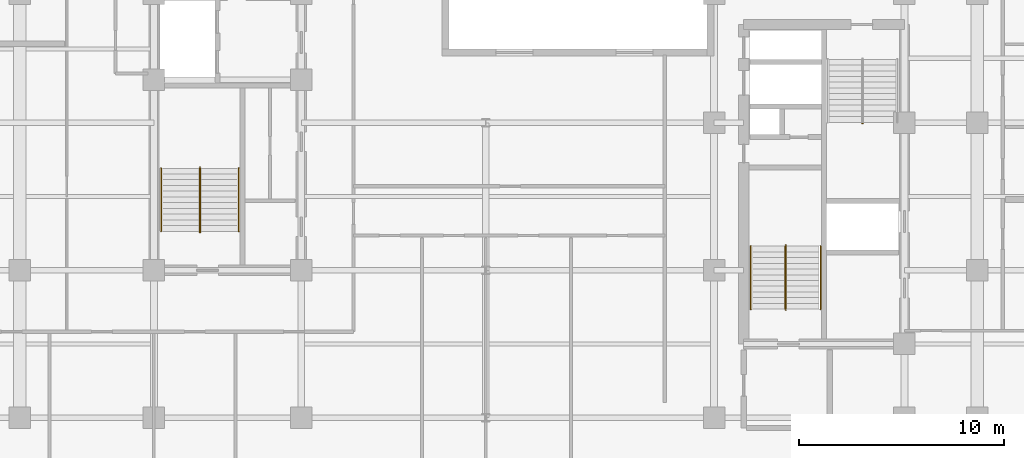
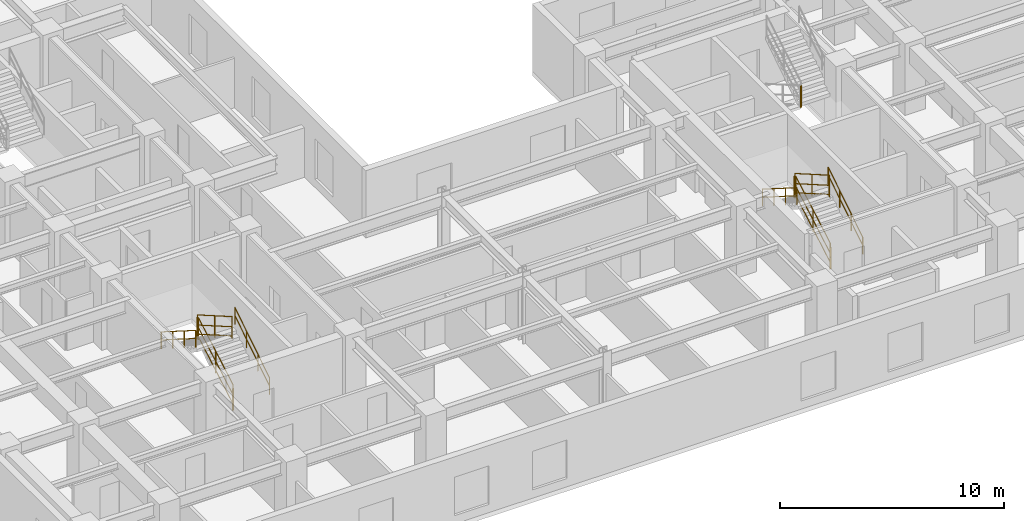
# One storey, part 8 of 10: 13 railings.
"""IFC4 building model written with IfcOpenShell, lengths in metres."""

from ifc_helpers import new_model, entity, si_unit, converted_unit, direction, frame, origin_with_axes, origin_2d_with_axis, place, context, subcontext, project, spatial, rectangle, circle, extrude, material, type_object, element, save


model = new_model("IFC4")

# Units and contexts
model_context = context("Model", 3, precision=1e-05, world=origin_with_axes(), true_north=direction((0.0, 1.0)))
body_context = subcontext(model_context, "Body", "Model", "MODEL_VIEW")
ifc_project = project(units=[si_unit("LENGTHUNIT", "METRE"), si_unit("AREAUNIT", "SQUARE_METRE"), si_unit("VOLUMEUNIT", "CUBIC_METRE"), converted_unit("PLANEANGLEUNIT", "DEGREE", entity("IfcPlaneAngleMeasure", 0.017453292519943295), si_unit("PLANEANGLEUNIT", "RADIAN"), dimensions=[0, 0, 0, 0, 0, 0, 0]), si_unit("MASSUNIT", "GRAM", prefix="KILO"), si_unit("THERMODYNAMICTEMPERATUREUNIT", "KELVIN")], contexts=[model_context])

# Site, building, storey
site_placement = place(None, origin_with_axes())
site = spatial("IfcSite", under=ifc_project, at=site_placement, CompositionType="ELEMENT")
building_placement = place(site_placement, origin_with_axes())
building = spatial("IfcBuilding", under=site, at=building_placement, Name="Varnlund Millrace Tower", CompositionType="ELEMENT")
storey_placement = place(building_placement, frame((0.0, 0.0, 179.7), z_axis=(0.0, 0.0, 1.0), x_axis=(1.0, 0.0, 0.0)))
storey = spatial("IfcBuildingStorey", under=building, at=storey_placement, Name="L44", CompositionType="ELEMENT", Elevation=179.7)

# Railings
ifc_material_1 = material(Name="Painted steel stair well balustrade guard", Category="steel")
railing_type_1 = type_object("IfcRailingType", Name="Type-StairGuard-1150", PredefinedType="GUARDRAIL", material=ifc_material_1)
railing_1_placement = place(storey_placement, frame((0.0, 0.0, -179.7), z_axis=(0.0, 0.0, 1.0), x_axis=(1.0, 0.0, 0.0)))
element("IfcRailing", 1, at=railing_1_placement, inside=storey, type_object=railing_type_1, Name="Type-StairGuard-1150", PredefinedType="GUARDRAIL", context=body_context, shape_type="SweptSolid", body=[
    extrude(circle(Radius=0.024, at=origin_2d_with_axis()), frame((13.675, 12.7, 181.027273), z_axis=(0.0, 0.866696, 0.498836), x_axis=(-1.0, 0.0, 0.0)), (0.0, 0.0, 1.0), 3.553725),
    extrude(circle(Radius=0.024, at=origin_2d_with_axis()), frame((13.675, 12.7, 179.977273), z_axis=(0.0, 0.866696, 0.498836), x_axis=(-1.0, 0.0, 0.0)), (0.0, 0.0, 1.0), 3.553725),
    extrude(circle(Radius=0.024, at=origin_2d_with_axis()), frame((13.675, 12.7, 180.475273), z_axis=(0.0, 0.866696, 0.498836), x_axis=(-1.0, 0.0, 0.0)), (0.0, 0.0, 1.0), 3.553725),
    extrude(rectangle(XDim=0.04, YDim=0.04, at=origin_2d_with_axis()), frame((13.675, 12.7, 179.837273), z_axis=(0.0, 0.0, 1.0), x_axis=(1.0, 0.0, 0.0)), (0.0, 0.0, 1.0), 1.19),
    extrude(rectangle(XDim=0.04, YDim=0.04, at=origin_2d_with_axis()), frame((13.675, 14.24, 180.723637), z_axis=(0.0, 0.0, 1.0), x_axis=(1.0, 0.0, 0.0)), (0.0, 0.0, 1.0), 1.19),
    extrude(rectangle(XDim=0.04, YDim=0.04, at=origin_2d_with_axis()), frame((13.675, 15.78, 181.61), z_axis=(0.0, 0.0, 1.0), x_axis=(1.0, 0.0, 0.0)), (0.0, 0.0, 1.0), 1.19),
])
railing_2_placement = place(storey_placement, frame((0.0, 0.0, -179.7), z_axis=(0.0, 0.0, 1.0), x_axis=(1.0, 0.0, 0.0)))
element("IfcRailing", 2, at=railing_2_placement, inside=storey, type_object=railing_type_1, Name="Type-StairGuard-1150", PredefinedType="GUARDRAIL", context=body_context, shape_type="SweptSolid", body=[
    extrude(circle(Radius=0.024, at=origin_2d_with_axis()), frame((13.625, 15.83, 182.8), z_axis=(1.0, 0.0, 0.0), x_axis=(0.0, 1.0, 0.0)), (0.0, 0.0, 1.0), 0.05),
    extrude(circle(Radius=0.024, at=origin_2d_with_axis()), frame((13.625, 15.83, 181.75), z_axis=(1.0, 0.0, 0.0), x_axis=(0.0, 1.0, 0.0)), (0.0, 0.0, 1.0), 0.05),
    extrude(circle(Radius=0.024, at=origin_2d_with_axis()), frame((13.625, 15.83, 182.248), z_axis=(1.0, 0.0, 0.0), x_axis=(0.0, 1.0, 0.0)), (0.0, 0.0, 1.0), 0.05),
    extrude(rectangle(XDim=0.04, YDim=0.04, at=origin_2d_with_axis()), frame((13.625, 15.83, 181.61), z_axis=(0.0, 0.0, 1.0), x_axis=(1.0, 0.0, 0.0)), (0.0, 0.0, 1.0), 1.19),
    extrude(rectangle(XDim=0.04, YDim=0.04, at=origin_2d_with_axis()), frame((13.675, 15.83, 181.61), z_axis=(0.0, 0.0, 1.0), x_axis=(1.0, 0.0, 0.0)), (0.0, 0.0, 1.0), 1.19),
])
railing_3_placement = place(storey_placement, frame((0.0, 0.0, -179.7), z_axis=(0.0, 0.0, 1.0), x_axis=(1.0, 0.0, 0.0)))
element("IfcRailing", 3, at=railing_3_placement, inside=storey, type_object=railing_type_1, Name="Type-StairGuard-1150", PredefinedType="GUARDRAIL", context=body_context, shape_type="SweptSolid", body=[
    extrude(circle(Radius=0.024, at=origin_2d_with_axis()), frame((13.625, 15.78, 182.977273), z_axis=(0.0, -0.866696, 0.498836), x_axis=(1.0, 0.0, 0.0)), (0.0, 0.0, 1.0), 3.553725),
    extrude(circle(Radius=0.024, at=origin_2d_with_axis()), frame((13.625, 15.78, 181.927273), z_axis=(0.0, -0.866696, 0.498836), x_axis=(1.0, 0.0, 0.0)), (0.0, 0.0, 1.0), 3.553725),
    extrude(circle(Radius=0.024, at=origin_2d_with_axis()), frame((13.625, 15.78, 182.425273), z_axis=(0.0, -0.866696, 0.498836), x_axis=(1.0, 0.0, 0.0)), (0.0, 0.0, 1.0), 3.553725),
    extrude(rectangle(XDim=0.04, YDim=0.04, at=origin_2d_with_axis()), frame((13.625, 15.78, 181.787273), z_axis=(0.0, 0.0, 1.0), x_axis=(1.0, 0.0, 0.0)), (0.0, 0.0, 1.0), 1.19),
    extrude(rectangle(XDim=0.04, YDim=0.04, at=origin_2d_with_axis()), frame((13.625, 14.24, 182.673637), z_axis=(0.0, 0.0, 1.0), x_axis=(1.0, 0.0, 0.0)), (0.0, 0.0, 1.0), 1.19),
    extrude(rectangle(XDim=0.04, YDim=0.04, at=origin_2d_with_axis()), frame((13.625, 12.7, 183.56), z_axis=(0.0, 0.0, 1.0), x_axis=(1.0, 0.0, 0.0)), (0.0, 0.0, 1.0), 1.19),
])
railing_4_placement = place(storey_placement, frame((0.0, 0.0, -179.7), z_axis=(0.0, 0.0, 1.0), x_axis=(1.0, 0.0, 0.0)))
element("IfcRailing", 4, at=railing_4_placement, inside=storey, type_object=railing_type_1, Name="Type-StairGuard-1150", PredefinedType="GUARDRAIL", context=body_context, shape_type="SweptSolid", body=[
    extrude(circle(Radius=0.024, at=origin_2d_with_axis()), frame((13.625, 12.65, 180.85), z_axis=(1.0, 0.0, 0.0), x_axis=(0.0, 1.0, 0.0)), (0.0, 0.0, 1.0), 0.05),
    extrude(circle(Radius=0.024, at=origin_2d_with_axis()), frame((13.625, 12.65, 179.8), z_axis=(1.0, 0.0, 0.0), x_axis=(0.0, 1.0, 0.0)), (0.0, 0.0, 1.0), 0.05),
    extrude(circle(Radius=0.024, at=origin_2d_with_axis()), frame((13.625, 12.65, 180.298), z_axis=(1.0, 0.0, 0.0), x_axis=(0.0, 1.0, 0.0)), (0.0, 0.0, 1.0), 0.05),
    extrude(rectangle(XDim=0.04, YDim=0.04, at=origin_2d_with_axis()), frame((13.625, 12.65, 179.66), z_axis=(0.0, 0.0, 1.0), x_axis=(1.0, 0.0, 0.0)), (0.0, 0.0, 1.0), 1.19),
    extrude(rectangle(XDim=0.04, YDim=0.04, at=origin_2d_with_axis()), frame((13.675, 12.65, 179.66), z_axis=(0.0, 0.0, 1.0), x_axis=(1.0, 0.0, 0.0)), (0.0, 0.0, 1.0), 1.19),
])
railing_5_placement = place(storey_placement, frame((0.0, 0.0, -179.7), z_axis=(0.0, 0.0, 1.0), x_axis=(1.0, 0.0, 0.0)))
element("IfcRailing", 5, at=railing_5_placement, inside=storey, type_object=railing_type_1, Name="Type-StairGuard-1150", PredefinedType="GUARDRAIL", context=body_context, shape_type="SweptSolid", body=[
    extrude(circle(Radius=0.024, at=origin_2d_with_axis()), frame((42.275, 8.9, 181.027273), z_axis=(0.0, 0.866696, 0.498836), x_axis=(-1.0, 0.0, 0.0)), (0.0, 0.0, 1.0), 3.553725),
    extrude(circle(Radius=0.024, at=origin_2d_with_axis()), frame((42.275, 8.9, 179.977273), z_axis=(0.0, 0.866696, 0.498836), x_axis=(-1.0, 0.0, 0.0)), (0.0, 0.0, 1.0), 3.553725),
    extrude(circle(Radius=0.024, at=origin_2d_with_axis()), frame((42.275, 8.9, 180.475273), z_axis=(0.0, 0.866696, 0.498836), x_axis=(-1.0, 0.0, 0.0)), (0.0, 0.0, 1.0), 3.553725),
    extrude(rectangle(XDim=0.04, YDim=0.04, at=origin_2d_with_axis()), frame((42.275, 8.9, 179.837273), z_axis=(0.0, 0.0, 1.0), x_axis=(1.0, 0.0, 0.0)), (0.0, 0.0, 1.0), 1.19),
    extrude(rectangle(XDim=0.04, YDim=0.04, at=origin_2d_with_axis()), frame((42.275, 10.44, 180.723637), z_axis=(0.0, 0.0, 1.0), x_axis=(1.0, 0.0, 0.0)), (0.0, 0.0, 1.0), 1.19),
    extrude(rectangle(XDim=0.04, YDim=0.04, at=origin_2d_with_axis()), frame((42.275, 11.98, 181.61), z_axis=(0.0, 0.0, 1.0), x_axis=(1.0, 0.0, 0.0)), (0.0, 0.0, 1.0), 1.19),
])
railing_6_placement = place(storey_placement, frame((0.0, 0.0, -179.7), z_axis=(0.0, 0.0, 1.0), x_axis=(1.0, 0.0, 0.0)))
element("IfcRailing", 6, at=railing_6_placement, inside=storey, type_object=railing_type_1, Name="Type-StairGuard-1150", PredefinedType="GUARDRAIL", context=body_context, shape_type="SweptSolid", body=[
    extrude(circle(Radius=0.024, at=origin_2d_with_axis()), frame((42.225, 12.03, 182.8), z_axis=(1.0, 0.0, 0.0), x_axis=(0.0, 1.0, 0.0)), (0.0, 0.0, 1.0), 0.05),
    extrude(circle(Radius=0.024, at=origin_2d_with_axis()), frame((42.225, 12.03, 181.75), z_axis=(1.0, 0.0, 0.0), x_axis=(0.0, 1.0, 0.0)), (0.0, 0.0, 1.0), 0.05),
    extrude(circle(Radius=0.024, at=origin_2d_with_axis()), frame((42.225, 12.03, 182.248), z_axis=(1.0, 0.0, 0.0), x_axis=(0.0, 1.0, 0.0)), (0.0, 0.0, 1.0), 0.05),
    extrude(rectangle(XDim=0.04, YDim=0.04, at=origin_2d_with_axis()), frame((42.225, 12.03, 181.61), z_axis=(0.0, 0.0, 1.0), x_axis=(1.0, 0.0, 0.0)), (0.0, 0.0, 1.0), 1.19),
    extrude(rectangle(XDim=0.04, YDim=0.04, at=origin_2d_with_axis()), frame((42.275, 12.03, 181.61), z_axis=(0.0, 0.0, 1.0), x_axis=(1.0, 0.0, 0.0)), (0.0, 0.0, 1.0), 1.19),
])
railing_7_placement = place(storey_placement, frame((0.0, 0.0, -179.7), z_axis=(0.0, 0.0, 1.0), x_axis=(1.0, 0.0, 0.0)))
element("IfcRailing", 7, at=railing_7_placement, inside=storey, type_object=railing_type_1, Name="Type-StairGuard-1150", PredefinedType="GUARDRAIL", context=body_context, shape_type="SweptSolid", body=[
    extrude(circle(Radius=0.024, at=origin_2d_with_axis()), frame((42.225, 11.98, 182.977273), z_axis=(0.0, -0.866696, 0.498836), x_axis=(1.0, 0.0, 0.0)), (0.0, 0.0, 1.0), 3.553725),
    extrude(circle(Radius=0.024, at=origin_2d_with_axis()), frame((42.225, 11.98, 181.927273), z_axis=(0.0, -0.866696, 0.498836), x_axis=(1.0, 0.0, 0.0)), (0.0, 0.0, 1.0), 3.553725),
    extrude(circle(Radius=0.024, at=origin_2d_with_axis()), frame((42.225, 11.98, 182.425273), z_axis=(0.0, -0.866696, 0.498836), x_axis=(1.0, 0.0, 0.0)), (0.0, 0.0, 1.0), 3.553725),
    extrude(rectangle(XDim=0.04, YDim=0.04, at=origin_2d_with_axis()), frame((42.225, 11.98, 181.787273), z_axis=(0.0, 0.0, 1.0), x_axis=(1.0, 0.0, 0.0)), (0.0, 0.0, 1.0), 1.19),
    extrude(rectangle(XDim=0.04, YDim=0.04, at=origin_2d_with_axis()), frame((42.225, 10.44, 182.673637), z_axis=(0.0, 0.0, 1.0), x_axis=(1.0, 0.0, 0.0)), (0.0, 0.0, 1.0), 1.19),
    extrude(rectangle(XDim=0.04, YDim=0.04, at=origin_2d_with_axis()), frame((42.225, 8.9, 183.56), z_axis=(0.0, 0.0, 1.0), x_axis=(1.0, 0.0, 0.0)), (0.0, 0.0, 1.0), 1.19),
])
railing_8_placement = place(storey_placement, frame((0.0, 0.0, -179.7), z_axis=(0.0, 0.0, 1.0), x_axis=(1.0, 0.0, 0.0)))
element("IfcRailing", 8, at=railing_8_placement, inside=storey, type_object=railing_type_1, Name="Type-StairGuard-1150", PredefinedType="GUARDRAIL", context=body_context, shape_type="SweptSolid", body=[
    extrude(circle(Radius=0.024, at=origin_2d_with_axis()), frame((42.225, 8.85, 180.85), z_axis=(1.0, 0.0, 0.0), x_axis=(0.0, 1.0, 0.0)), (0.0, 0.0, 1.0), 0.05),
    extrude(circle(Radius=0.024, at=origin_2d_with_axis()), frame((42.225, 8.85, 179.8), z_axis=(1.0, 0.0, 0.0), x_axis=(0.0, 1.0, 0.0)), (0.0, 0.0, 1.0), 0.05),
    extrude(circle(Radius=0.024, at=origin_2d_with_axis()), frame((42.225, 8.85, 180.298), z_axis=(1.0, 0.0, 0.0), x_axis=(0.0, 1.0, 0.0)), (0.0, 0.0, 1.0), 0.05),
    extrude(rectangle(XDim=0.04, YDim=0.04, at=origin_2d_with_axis()), frame((42.225, 8.85, 179.66), z_axis=(0.0, 0.0, 1.0), x_axis=(1.0, 0.0, 0.0)), (0.0, 0.0, 1.0), 1.19),
    extrude(rectangle(XDim=0.04, YDim=0.04, at=origin_2d_with_axis()), frame((42.275, 8.85, 179.66), z_axis=(0.0, 0.0, 1.0), x_axis=(1.0, 0.0, 0.0)), (0.0, 0.0, 1.0), 1.19),
])
railing_9_placement = place(storey_placement, frame((0.0, 0.0, -179.7), z_axis=(0.0, 0.0, 1.0), x_axis=(1.0, 0.0, 0.0)))
element("IfcRailing", 9, at=railing_9_placement, inside=storey, type_object=railing_type_1, Name="Type-StairGuard-1150", PredefinedType="GUARDRAIL", context=body_context, shape_type="SweptSolid", body=[
    extrude(circle(Radius=0.024, at=origin_2d_with_axis()), frame((46.025, 17.97, 182.8), z_axis=(-1.0, 0.0, 0.0), x_axis=(0.0, -1.0, 0.0)), (0.0, 0.0, 1.0), 0.05),
    extrude(circle(Radius=0.024, at=origin_2d_with_axis()), frame((46.025, 17.97, 181.75), z_axis=(-1.0, 0.0, 0.0), x_axis=(0.0, -1.0, 0.0)), (0.0, 0.0, 1.0), 0.05),
    extrude(circle(Radius=0.024, at=origin_2d_with_axis()), frame((46.025, 17.97, 182.248), z_axis=(-1.0, 0.0, 0.0), x_axis=(0.0, -1.0, 0.0)), (0.0, 0.0, 1.0), 0.05),
    extrude(rectangle(XDim=0.04, YDim=0.04, at=origin_2d_with_axis()), frame((46.025, 17.97, 181.61), z_axis=(0.0, 0.0, 1.0), x_axis=(1.0, 0.0, 0.0)), (0.0, 0.0, 1.0), 1.19),
    extrude(rectangle(XDim=0.04, YDim=0.04, at=origin_2d_with_axis()), frame((45.975, 17.97, 181.61), z_axis=(0.0, 0.0, 1.0), x_axis=(1.0, 0.0, 0.0)), (0.0, 0.0, 1.0), 1.19),
])
ifc_material_2 = material(Name="Brushed architectural bronze stair handrail", Category="aluminium")
railing_type_2 = type_object("IfcRailingType", Name="Type-StairHandrail-900", PredefinedType="HANDRAIL", material=ifc_material_2)
railing_10_placement = place(storey_placement, frame((0.0, 0.0, -179.7), z_axis=(0.0, 0.0, 1.0), x_axis=(1.0, 0.0, 0.0)))
element("IfcRailing", 10, at=railing_10_placement, inside=storey, type_object=railing_type_2, Name="Type-StairHandrail-900", PredefinedType="HANDRAIL", context=body_context, shape_type="SweptSolid", body=[
    extrude(circle(Radius=0.024, at=origin_2d_with_axis()), frame((15.55, 12.7, 180.756995), z_axis=(0.0, 0.844902, 0.534922), x_axis=(-1.0, 0.0, 0.0)), (0.0, 0.0, 1.0), 3.645394),
    extrude(circle(Radius=0.024, at=origin_2d_with_axis()), frame((15.55, 12.7, 180.317134), z_axis=(0.0, 0.844902, 0.534922), x_axis=(-1.0, 0.0, 0.0)), (0.0, 0.0, 1.0), 3.645394),
    extrude(rectangle(XDim=0.04, YDim=0.04, at=origin_2d_with_axis()), frame((15.55, 12.7, 179.837273), z_axis=(0.0, 0.0, 1.0), x_axis=(1.0, 0.0, 0.0)), (0.0, 0.0, 1.0), 0.919722),
    extrude(rectangle(XDim=0.04, YDim=0.04, at=origin_2d_with_axis()), frame((15.55, 13.726667, 180.487273), z_axis=(0.0, 0.0, 1.0), x_axis=(1.0, 0.0, 0.0)), (0.0, 0.0, 1.0), 0.919722),
    extrude(rectangle(XDim=0.04, YDim=0.04, at=origin_2d_with_axis()), frame((15.55, 14.753333, 181.137273), z_axis=(0.0, 0.0, 1.0), x_axis=(1.0, 0.0, 0.0)), (0.0, 0.0, 1.0), 0.919722),
    extrude(rectangle(XDim=0.04, YDim=0.04, at=origin_2d_with_axis()), frame((15.55, 15.78, 181.787273), z_axis=(0.0, 0.0, 1.0), x_axis=(1.0, 0.0, 0.0)), (0.0, 0.0, 1.0), 0.919722),
])
railing_11_placement = place(storey_placement, frame((0.0, 0.0, -179.7), z_axis=(0.0, 0.0, 1.0), x_axis=(1.0, 0.0, 0.0)))
element("IfcRailing", 11, at=railing_11_placement, inside=storey, type_object=railing_type_2, Name="Type-StairHandrail-900", PredefinedType="HANDRAIL", context=body_context, shape_type="SweptSolid", body=[
    extrude(circle(Radius=0.024, at=origin_2d_with_axis()), frame((11.75, 15.78, 182.706995), z_axis=(0.0, -0.844902, 0.534922), x_axis=(1.0, 0.0, 0.0)), (0.0, 0.0, 1.0), 3.645394),
    extrude(circle(Radius=0.024, at=origin_2d_with_axis()), frame((11.75, 15.78, 182.267134), z_axis=(0.0, -0.844902, 0.534922), x_axis=(1.0, 0.0, 0.0)), (0.0, 0.0, 1.0), 3.645394),
    extrude(rectangle(XDim=0.04, YDim=0.04, at=origin_2d_with_axis()), frame((11.75, 15.78, 181.787273), z_axis=(0.0, 0.0, 1.0), x_axis=(1.0, 0.0, 0.0)), (0.0, 0.0, 1.0), 0.919722),
    extrude(rectangle(XDim=0.04, YDim=0.04, at=origin_2d_with_axis()), frame((11.75, 14.753333, 182.437273), z_axis=(0.0, 0.0, 1.0), x_axis=(1.0, 0.0, 0.0)), (0.0, 0.0, 1.0), 0.919722),
    extrude(rectangle(XDim=0.04, YDim=0.04, at=origin_2d_with_axis()), frame((11.75, 13.726667, 183.087273), z_axis=(0.0, 0.0, 1.0), x_axis=(1.0, 0.0, 0.0)), (0.0, 0.0, 1.0), 0.919722),
    extrude(rectangle(XDim=0.04, YDim=0.04, at=origin_2d_with_axis()), frame((11.75, 12.7, 183.737273), z_axis=(0.0, 0.0, 1.0), x_axis=(1.0, 0.0, 0.0)), (0.0, 0.0, 1.0), 0.919722),
])
railing_12_placement = place(storey_placement, frame((0.0, 0.0, -179.7), z_axis=(0.0, 0.0, 1.0), x_axis=(1.0, 0.0, 0.0)))
element("IfcRailing", 12, at=railing_12_placement, inside=storey, type_object=railing_type_2, Name="Type-StairHandrail-900", PredefinedType="HANDRAIL", context=body_context, shape_type="SweptSolid", body=[
    extrude(circle(Radius=0.024, at=origin_2d_with_axis()), frame((43.95, 8.9, 180.756995), z_axis=(0.0, 0.844902, 0.534922), x_axis=(-1.0, 0.0, 0.0)), (0.0, 0.0, 1.0), 3.645394),
    extrude(circle(Radius=0.024, at=origin_2d_with_axis()), frame((43.95, 8.9, 180.317134), z_axis=(0.0, 0.844902, 0.534922), x_axis=(-1.0, 0.0, 0.0)), (0.0, 0.0, 1.0), 3.645394),
    extrude(rectangle(XDim=0.04, YDim=0.04, at=origin_2d_with_axis()), frame((43.95, 8.9, 179.837273), z_axis=(0.0, 0.0, 1.0), x_axis=(1.0, 0.0, 0.0)), (0.0, 0.0, 1.0), 0.919722),
    extrude(rectangle(XDim=0.04, YDim=0.04, at=origin_2d_with_axis()), frame((43.95, 9.926667, 180.487273), z_axis=(0.0, 0.0, 1.0), x_axis=(1.0, 0.0, 0.0)), (0.0, 0.0, 1.0), 0.919722),
    extrude(rectangle(XDim=0.04, YDim=0.04, at=origin_2d_with_axis()), frame((43.95, 10.953333, 181.137273), z_axis=(0.0, 0.0, 1.0), x_axis=(1.0, 0.0, 0.0)), (0.0, 0.0, 1.0), 0.919722),
    extrude(rectangle(XDim=0.04, YDim=0.04, at=origin_2d_with_axis()), frame((43.95, 11.98, 181.787273), z_axis=(0.0, 0.0, 1.0), x_axis=(1.0, 0.0, 0.0)), (0.0, 0.0, 1.0), 0.919722),
])
railing_13_placement = place(storey_placement, frame((0.0, 0.0, -179.7), z_axis=(0.0, 0.0, 1.0), x_axis=(1.0, 0.0, 0.0)))
element("IfcRailing", 13, at=railing_13_placement, inside=storey, type_object=railing_type_2, Name="Type-StairHandrail-900", PredefinedType="HANDRAIL", context=body_context, shape_type="SweptSolid", body=[
    extrude(circle(Radius=0.024, at=origin_2d_with_axis()), frame((40.55, 11.98, 182.706995), z_axis=(0.0, -0.844902, 0.534922), x_axis=(1.0, 0.0, 0.0)), (0.0, 0.0, 1.0), 3.645394),
    extrude(circle(Radius=0.024, at=origin_2d_with_axis()), frame((40.55, 11.98, 182.267134), z_axis=(0.0, -0.844902, 0.534922), x_axis=(1.0, 0.0, 0.0)), (0.0, 0.0, 1.0), 3.645394),
    extrude(rectangle(XDim=0.04, YDim=0.04, at=origin_2d_with_axis()), frame((40.55, 11.98, 181.787273), z_axis=(0.0, 0.0, 1.0), x_axis=(1.0, 0.0, 0.0)), (0.0, 0.0, 1.0), 0.919722),
    extrude(rectangle(XDim=0.04, YDim=0.04, at=origin_2d_with_axis()), frame((40.55, 10.953333, 182.437273), z_axis=(0.0, 0.0, 1.0), x_axis=(1.0, 0.0, 0.0)), (0.0, 0.0, 1.0), 0.919722),
    extrude(rectangle(XDim=0.04, YDim=0.04, at=origin_2d_with_axis()), frame((40.55, 9.926667, 183.087273), z_axis=(0.0, 0.0, 1.0), x_axis=(1.0, 0.0, 0.0)), (0.0, 0.0, 1.0), 0.919722),
    extrude(rectangle(XDim=0.04, YDim=0.04, at=origin_2d_with_axis()), frame((40.55, 8.9, 183.737273), z_axis=(0.0, 0.0, 1.0), x_axis=(1.0, 0.0, 0.0)), (0.0, 0.0, 1.0), 0.919722),
])

save(model, "model.ifc")
